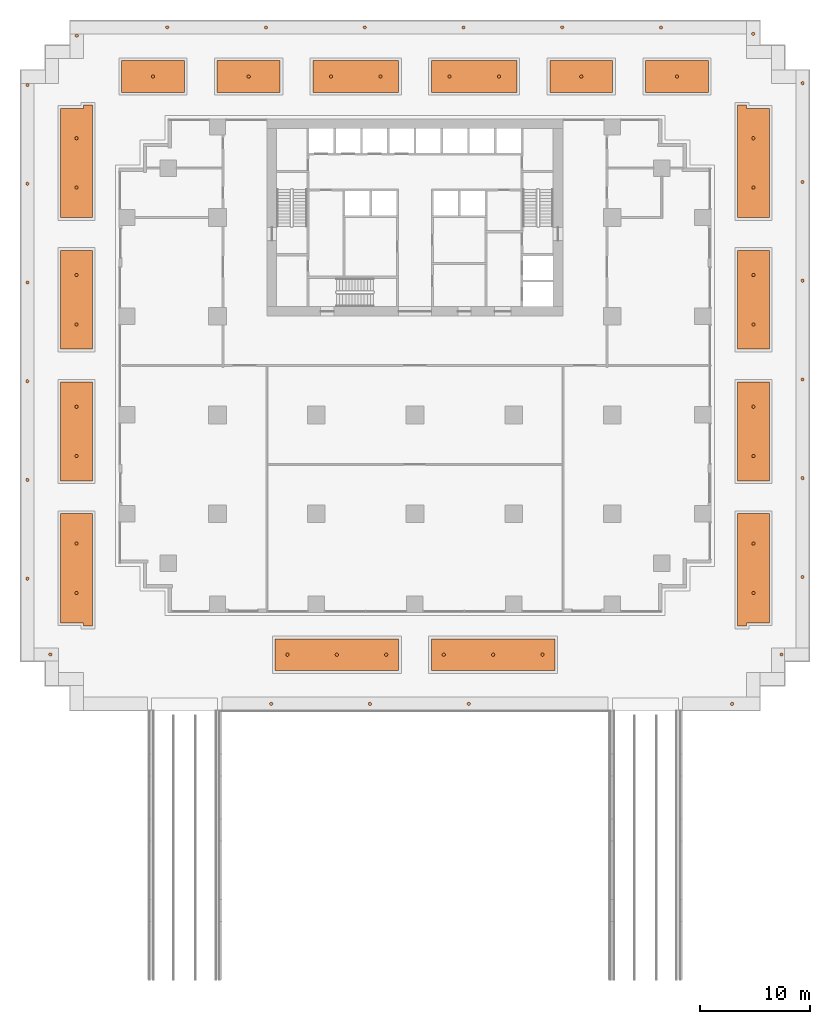
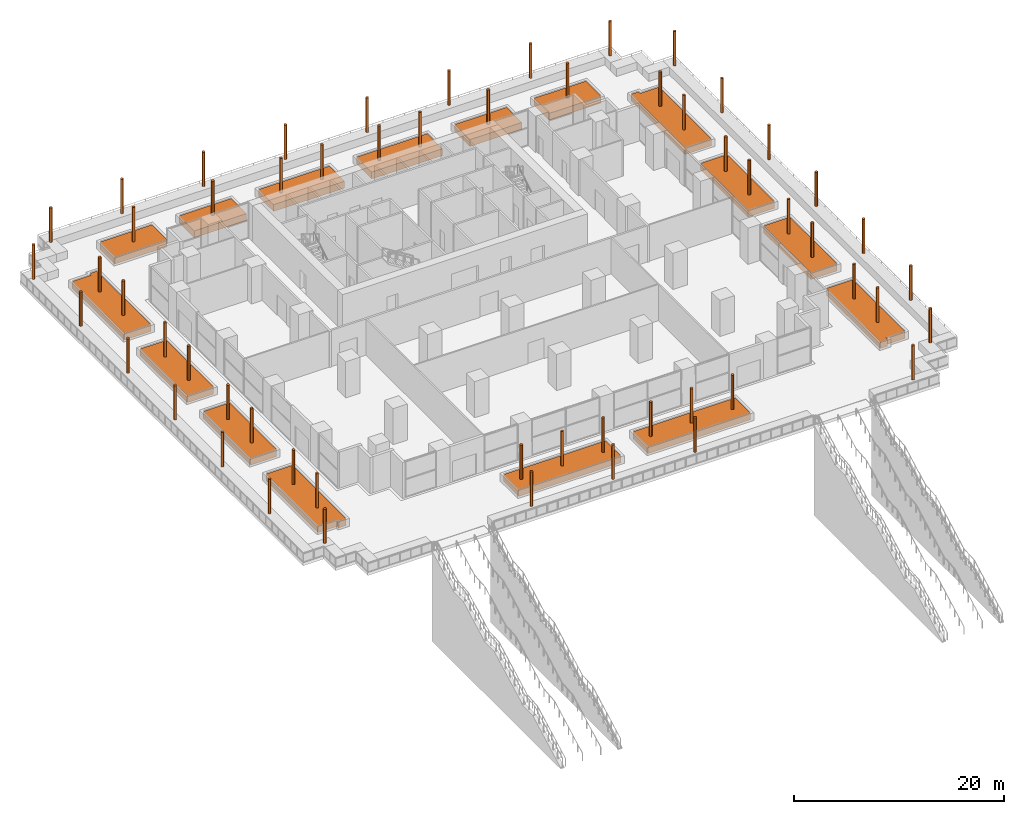
# One storey, part 18 of 18: 56 geographic elements, 16 proxies.
"""IFC4 building model written with IfcOpenShell, lengths in metres."""

from ifc_helpers import new_model, si_unit, direction, frame, origin, origin_2d, place, context, subcontext, project, spatial, polyline, circle, outline, extrude, material, type_object, element, save


model = new_model("IFC4")

# Units and contexts
model_context = context("Model", 3, precision=1e-05, world=origin(), true_north=direction((0.0, 1.0)))
body_context = subcontext(model_context, "Body", "Model", "MODEL_VIEW")
ifc_project = project(units=[si_unit("LENGTHUNIT", "METRE"), si_unit("AREAUNIT", "SQUARE_METRE"), si_unit("VOLUMEUNIT", "CUBIC_METRE"), si_unit("PLANEANGLEUNIT", "RADIAN"), si_unit("MASSUNIT", "GRAM", prefix="KILO")], contexts=[model_context])

# Site, building, storey
site_placement = place(None, origin())
site = spatial("IfcSite", under=ifc_project, at=site_placement, CompositionType="ELEMENT")
building_placement = place(site_placement, origin())
building = spatial("IfcBuilding", under=site, at=building_placement, Name="Orbiselva Terraces", CompositionType="ELEMENT")
storey_placement = place(building_placement, frame((0.0, 0.0, 10.5)))
storey = spatial("IfcBuildingStorey", under=building, at=storey_placement, Name="L02", CompositionType="ELEMENT", Elevation=10.5)

# Proxies
ifc_material_1 = material(Name="Planting soil")
building_element_proxy_type = type_object("IfcBuildingElementProxyType", Name="ENV-PLANTING-SOIL", PredefinedType="USERDEFINED", material=ifc_material_1)
proxy_1_placement = place(storey_placement, frame((0.0, 0.0, 0.05)))
element("IfcBuildingElementProxy", 1, at=proxy_1_placement, inside=storey, type_object=building_element_proxy_type, Name="Planting soil L02 Planting bed 1", ObjectType="PLANTING SOIL", PredefinedType="USERDEFINED", context=body_context, shape_type="SweptSolid", body=[
    extrude(outline(polyline([(-12.75, -27.8), (-12.75, -24.9), (-1.5, -24.9), (-1.5, -27.8), (-12.75, -27.8)])), origin(), (0.0, 0.0, 1.0), 0.8),
])
proxy_2_placement = place(storey_placement, frame((0.0, 0.0, 0.05)))
element("IfcBuildingElementProxy", 2, at=proxy_2_placement, inside=storey, type_object=building_element_proxy_type, Name="Planting soil L02 Planting bed 2", ObjectType="PLANTING SOIL", PredefinedType="USERDEFINED", context=body_context, shape_type="SweptSolid", body=[
    extrude(outline(polyline([(1.5, -27.8), (1.5, -24.9), (12.75, -24.9), (12.75, -27.8), (1.5, -27.8)])), origin(), (0.0, 0.0, 1.0), 0.8),
])
proxy_3_placement = place(storey_placement, frame((0.0, 0.0, 0.05)))
element("IfcBuildingElementProxy", 3, at=proxy_3_placement, inside=storey, type_object=building_element_proxy_type, Name="Planting soil L02 Planting bed 3", ObjectType="PLANTING SOIL", PredefinedType="USERDEFINED", context=body_context, shape_type="SweptSolid", body=[
    extrude(outline(polyline([(-32.3, -13.5), (-29.4, -13.5), (-29.4, -23.75), (-30.2, -23.75), (-30.2, -23.45), (-32.3, -23.45), (-32.3, -13.5)])), origin(), (0.0, 0.0, 1.0), 0.8),
])
proxy_4_placement = place(storey_placement, frame((0.0, 0.0, 0.05)))
element("IfcBuildingElementProxy", 4, at=proxy_4_placement, inside=storey, type_object=building_element_proxy_type, Name="Planting soil L02 Planting bed 4", ObjectType="PLANTING SOIL", PredefinedType="USERDEFINED", context=body_context, shape_type="SweptSolid", body=[
    extrude(outline(polyline([(29.4, -23.75), (29.4, -13.5), (32.3, -13.5), (32.3, -23.45), (30.2, -23.45), (30.2, -23.75), (29.4, -23.75)])), origin(), (0.0, 0.0, 1.0), 0.8),
])
proxy_5_placement = place(storey_placement, frame((0.0, 0.0, 0.05)))
element("IfcBuildingElementProxy", 5, at=proxy_5_placement, inside=storey, type_object=building_element_proxy_type, Name="Planting soil L02 Planting bed 5", ObjectType="PLANTING SOIL", PredefinedType="USERDEFINED", context=body_context, shape_type="SweptSolid", body=[
    extrude(outline(polyline([(-32.3, -10.5), (-32.3, -1.5), (-29.4, -1.5), (-29.4, -10.5), (-32.3, -10.5)])), origin(), (0.0, 0.0, 1.0), 0.8),
])
proxy_6_placement = place(storey_placement, frame((0.0, 0.0, 0.05)))
element("IfcBuildingElementProxy", 6, at=proxy_6_placement, inside=storey, type_object=building_element_proxy_type, Name="Planting soil L02 Planting bed 6", ObjectType="PLANTING SOIL", PredefinedType="USERDEFINED", context=body_context, shape_type="SweptSolid", body=[
    extrude(outline(polyline([(29.4, -10.5), (29.4, -1.5), (32.3, -1.5), (32.3, -10.5), (29.4, -10.5)])), origin(), (0.0, 0.0, 1.0), 0.8),
])
proxy_7_placement = place(storey_placement, frame((0.0, 0.0, 0.05)))
element("IfcBuildingElementProxy", 7, at=proxy_7_placement, inside=storey, type_object=building_element_proxy_type, Name="Planting soil L02 Planting bed 7", ObjectType="PLANTING SOIL", PredefinedType="USERDEFINED", context=body_context, shape_type="SweptSolid", body=[
    extrude(outline(polyline([(-32.3, 1.5), (-32.3, 10.5), (-29.4, 10.5), (-29.4, 1.5), (-32.3, 1.5)])), origin(), (0.0, 0.0, 1.0), 0.8),
])
proxy_8_placement = place(storey_placement, frame((0.0, 0.0, 0.05)))
element("IfcBuildingElementProxy", 8, at=proxy_8_placement, inside=storey, type_object=building_element_proxy_type, Name="Planting soil L02 Planting bed 8", ObjectType="PLANTING SOIL", PredefinedType="USERDEFINED", context=body_context, shape_type="SweptSolid", body=[
    extrude(outline(polyline([(29.4, 1.5), (29.4, 10.5), (32.3, 10.5), (32.3, 1.5), (29.4, 1.5)])), origin(), (0.0, 0.0, 1.0), 0.8),
])
proxy_9_placement = place(storey_placement, frame((0.0, 0.0, 0.05)))
element("IfcBuildingElementProxy", 9, at=proxy_9_placement, inside=storey, type_object=building_element_proxy_type, Name="Planting soil L02 Planting bed 9", ObjectType="PLANTING SOIL", PredefinedType="USERDEFINED", context=body_context, shape_type="SweptSolid", body=[
    extrude(outline(polyline([(-29.4, 23.75), (-29.4, 13.5), (-32.3, 13.5), (-32.3, 23.45), (-30.2, 23.45), (-30.2, 23.75), (-29.4, 23.75)])), origin(), (0.0, 0.0, 1.0), 0.8),
])
proxy_10_placement = place(storey_placement, frame((0.0, 0.0, 0.05)))
element("IfcBuildingElementProxy", 10, at=proxy_10_placement, inside=storey, type_object=building_element_proxy_type, Name="Planting soil L02 Planting bed 10", ObjectType="PLANTING SOIL", PredefinedType="USERDEFINED", context=body_context, shape_type="SweptSolid", body=[
    extrude(outline(polyline([(32.3, 13.5), (29.4, 13.5), (29.4, 23.75), (30.2, 23.75), (30.2, 23.45), (32.3, 23.45), (32.3, 13.5)])), origin(), (0.0, 0.0, 1.0), 0.8),
])
proxy_11_placement = place(storey_placement, frame((0.0, 0.0, 0.05)))
element("IfcBuildingElementProxy", 11, at=proxy_11_placement, inside=storey, type_object=building_element_proxy_type, Name="Planting soil L02 Planting bed 11", ObjectType="PLANTING SOIL", PredefinedType="USERDEFINED", context=body_context, shape_type="SweptSolid", body=[
    extrude(outline(polyline([(-26.75, 24.9), (-26.75, 27.8), (-21.025, 27.8), (-21.025, 24.9), (-26.75, 24.9)])), origin(), (0.0, 0.0, 1.0), 0.8),
])
proxy_12_placement = place(storey_placement, frame((0.0, 0.0, 0.05)))
element("IfcBuildingElementProxy", 12, at=proxy_12_placement, inside=storey, type_object=building_element_proxy_type, Name="Planting soil L02 Planting bed 12", ObjectType="PLANTING SOIL", PredefinedType="USERDEFINED", context=body_context, shape_type="SweptSolid", body=[
    extrude(outline(polyline([(-9.3, 24.9), (-9.3, 27.8), (-1.5, 27.8), (-1.5, 24.9), (-9.3, 24.9)])), origin(), (0.0, 0.0, 1.0), 0.8),
])
proxy_13_placement = place(storey_placement, frame((0.0, 0.0, 0.05)))
element("IfcBuildingElementProxy", 13, at=proxy_13_placement, inside=storey, type_object=building_element_proxy_type, Name="Planting soil L02 Planting bed 13", ObjectType="PLANTING SOIL", PredefinedType="USERDEFINED", context=body_context, shape_type="SweptSolid", body=[
    extrude(outline(polyline([(1.5, 24.9), (1.5, 27.8), (9.3, 27.8), (9.3, 24.9), (1.5, 24.9)])), origin(), (0.0, 0.0, 1.0), 0.8),
])
proxy_14_placement = place(storey_placement, frame((0.0, 0.0, 0.05)))
element("IfcBuildingElementProxy", 14, at=proxy_14_placement, inside=storey, type_object=building_element_proxy_type, Name="Planting soil L02 Planting bed 14", ObjectType="PLANTING SOIL", PredefinedType="USERDEFINED", context=body_context, shape_type="SweptSolid", body=[
    extrude(outline(polyline([(12.3, 24.9), (12.3, 27.8), (18.025, 27.8), (18.025, 24.9), (12.3, 24.9)])), origin(), (0.0, 0.0, 1.0), 0.8),
])
proxy_15_placement = place(storey_placement, frame((0.0, 0.0, 0.05)))
element("IfcBuildingElementProxy", 15, at=proxy_15_placement, inside=storey, type_object=building_element_proxy_type, Name="Planting soil L02 Planting bed 15", ObjectType="PLANTING SOIL", PredefinedType="USERDEFINED", context=body_context, shape_type="SweptSolid", body=[
    extrude(outline(polyline([(21.025, 24.9), (21.025, 27.8), (26.75, 27.8), (26.75, 24.9), (21.025, 24.9)])), origin(), (0.0, 0.0, 1.0), 0.8),
])
proxy_16_placement = place(storey_placement, frame((0.0, 0.0, 0.05)))
element("IfcBuildingElementProxy", 16, at=proxy_16_placement, inside=storey, type_object=building_element_proxy_type, Name="Planting soil L02 Planting bed 16", ObjectType="PLANTING SOIL", PredefinedType="USERDEFINED", context=body_context, shape_type="SweptSolid", body=[
    extrude(outline(polyline([(-18.025, 24.9), (-18.025, 27.8), (-12.3, 27.8), (-12.3, 24.9), (-18.025, 24.9)])), origin(), (0.0, 0.0, 1.0), 0.8),
])

# Geographic elements
ifc_material_2 = material(Name="Planted tree")
geographic_element_type = type_object("IfcGeographicElementType", Name="ENV-TREE-300x4000", PredefinedType="USERDEFINED", material=ifc_material_2)
for number, where, z_axis, x_axis, name in (
    (17, (-13.1, -30.83, 4.95), (0.0, 0.0, -1.0), (1.0, 0.0, 0.0), "Tree L02"),
    (18, (-4.1, -30.83, 4.95), (0.0, 0.0, -1.0), (1.0, 0.0, 0.0), "Tree L02"),
    (19, (4.9, -30.83, 4.95), (0.0, 0.0, -1.0), (1.0, 0.0, 0.0), "Tree L02"),
    (20, (28.9, -30.83, 4.95), (0.0, 0.0, -1.0), (1.0, 0.0, 0.0), "Tree L02"),
    (21, (33.4, -26.33, 4.95), (0.0, 0.0, -1.0), (1.0, 0.0, 0.0), "Tree L02"),
    (22, (35.33, -19.26, 4.95), (0.0, 0.0, -1.0), (1.0, 0.0, 0.0), "Tree L02"),
    (23, (35.33, -10.26, 4.95), (0.0, 0.0, -1.0), (1.0, 0.0, 0.0), "Tree L02"),
    (24, (35.33, -1.26, 4.95), (0.0, 0.0, -1.0), (1.0, 0.0, 0.0), "Tree L02"),
    (25, (35.33, 7.74, 4.95), (0.0, 0.0, -1.0), (1.0, 0.0, 0.0), "Tree L02"),
    (26, (35.33, 16.74, 4.95), (0.0, 0.0, -1.0), (1.0, 0.0, 0.0), "Tree L02"),
    (27, (35.33, 25.74, 4.95), (0.0, 0.0, -1.0), (1.0, 0.0, 0.0), "Tree L02"),
    (28, (30.83, 30.24, 4.95), (0.0, 0.0, -1.0), (1.0, 0.0, 0.0), "Tree L02"),
    (29, (22.42, 30.83, 4.95), (0.0, 0.0, -1.0), (1.0, 0.0, 0.0), "Tree L02"),
    (30, (13.42, 30.83, 4.95), (0.0, 0.0, -1.0), (1.0, 0.0, 0.0), "Tree L02"),
    (31, (4.42, 30.83, 4.95), (0.0, 0.0, -1.0), (1.0, 0.0, 0.0), "Tree L02"),
    (32, (-4.58, 30.83, 4.95), (0.0, 0.0, -1.0), (1.0, 0.0, 0.0), "Tree L02"),
    (33, (-13.58, 30.83, 4.95), (0.0, 0.0, -1.0), (1.0, 0.0, 0.0), "Tree L02"),
    (34, (-22.58, 30.83, 4.95), (0.0, 0.0, -1.0), (1.0, 0.0, 0.0), "Tree L02"),
    (35, (-30.83, 30.08, 4.95), (0.0, 0.0, -1.0), (1.0, 0.0, 0.0), "Tree L02"),
    (36, (-35.33, 25.58, 4.95), (0.0, 0.0, -1.0), (1.0, 0.0, 0.0), "Tree L02"),
    (37, (-35.33, 16.58, 4.95), (0.0, 0.0, -1.0), (1.0, 0.0, 0.0), "Tree L02"),
    (38, (-35.33, 7.58, 4.95), (0.0, 0.0, -1.0), (1.0, 0.0, 0.0), "Tree L02"),
    (39, (-35.33, -1.42, 4.95), (0.0, 0.0, -1.0), (1.0, 0.0, 0.0), "Tree L02"),
    (40, (-35.33, -10.42, 4.95), (0.0, 0.0, -1.0), (1.0, 0.0, 0.0), "Tree L02"),
    (41, (-35.33, -19.42, 4.95), (0.0, 0.0, -1.0), (1.0, 0.0, 0.0), "Tree L02"),
    (42, (-33.24, -26.33, 4.95), (0.0, 0.0, -1.0), (1.0, 0.0, 0.0), "Tree L02"),
    (43, (-11.625, -26.35, 4.85), (0.0, 0.0, -1.0), (1.0, 0.0, 0.0), "Tree L02"),
    (44, (-7.125, -26.35, 4.85), (0.0, 0.0, -1.0), (1.0, 0.0, 0.0), "Tree L02"),
    (45, (-2.625, -26.35, 4.85), (0.0, 0.0, -1.0), (1.0, 0.0, 0.0), "Tree L02"),
    (46, (2.625, -26.35, 4.85), (0.0, 0.0, -1.0), (1.0, 0.0, 0.0), "Tree L02"),
    (47, (7.125, -26.35, 4.85), (0.0, 0.0, -1.0), (1.0, 0.0, 0.0), "Tree L02"),
    (48, (11.625, -26.35, 4.85), (0.0, 0.0, -1.0), (1.0, 0.0, 0.0), "Tree L02"),
    (49, (-30.85, -20.725, 4.85), (0.0, 0.0, -1.0), (1.0, 0.0, 0.0), "Tree L02"),
    (50, (-30.85, -16.225, 4.85), (0.0, 0.0, -1.0), (1.0, 0.0, 0.0), "Tree L02"),
    (51, (30.85, -20.725, 4.85), (0.0, 0.0, -1.0), (1.0, 0.0, 0.0), "Tree L02"),
    (52, (30.85, -16.225, 4.85), (0.0, 0.0, -1.0), (1.0, 0.0, 0.0), "Tree L02"),
    (53, (-30.85, -8.25, 4.85), (0.0, 0.0, -1.0), (1.0, 0.0, 0.0), "Tree L02"),
    (54, (-30.85, -3.75, 4.85), (0.0, 0.0, -1.0), (1.0, 0.0, 0.0), "Tree L02"),
    (55, (30.85, -8.25, 4.85), (0.0, 0.0, -1.0), (1.0, 0.0, 0.0), "Tree L02"),
    (56, (30.85, -3.75, 4.85), (0.0, 0.0, -1.0), (1.0, 0.0, 0.0), "Tree L02"),
    (57, (-30.85, 3.75, 4.85), (0.0, 0.0, -1.0), (1.0, 0.0, 0.0), "Tree L02"),
    (58, (-30.85, 8.25, 4.85), (0.0, 0.0, -1.0), (1.0, 0.0, 0.0), "Tree L02"),
    (59, (30.85, 3.75, 4.85), (0.0, 0.0, -1.0), (1.0, 0.0, 0.0), "Tree L02"),
    (60, (30.85, 8.25, 4.85), (0.0, 0.0, -1.0), (1.0, 0.0, 0.0), "Tree L02"),
    (61, (-30.85, 16.225, 4.85), (0.0, 0.0, -1.0), (1.0, 0.0, 0.0), "Tree L02"),
    (62, (-30.85, 20.725, 4.85), (0.0, 0.0, -1.0), (1.0, 0.0, 0.0), "Tree L02"),
    (63, (30.85, 16.225, 4.85), (0.0, 0.0, -1.0), (1.0, 0.0, 0.0), "Tree L02"),
    (64, (30.85, 20.725, 4.85), (0.0, 0.0, -1.0), (1.0, 0.0, 0.0), "Tree L02"),
    (65, (-23.887, 26.35, 4.85), (0.0, 0.0, -1.0), (1.0, 0.0, 0.0), "Tree L02"),
    (66, (-7.65, 26.35, 4.85), (0.0, 0.0, -1.0), (1.0, 0.0, 0.0), "Tree L02"),
    (67, (-3.15, 26.35, 4.85), (0.0, 0.0, -1.0), (1.0, 0.0, 0.0), "Tree L02"),
    (68, (3.15, 26.35, 4.85), (0.0, 0.0, -1.0), (1.0, 0.0, 0.0), "Tree L02"),
    (69, (7.65, 26.35, 4.85), (0.0, 0.0, -1.0), (1.0, 0.0, 0.0), "Tree L02"),
    (70, (15.162, 26.35, 4.85), (0.0, 0.0, -1.0), (1.0, 0.0, 0.0), "Tree L02"),
    (71, (23.887, 26.35, 4.85), (0.0, 0.0, -1.0), (1.0, 0.0, 0.0), "Tree L02"),
    (72, (-15.162, 26.35, 4.85), (0.0, 0.0, -1.0), (1.0, 0.0, 0.0), "Tree L02"),
):
    element("IfcGeographicElement", number, at=place(storey_placement, frame(where, z_axis=z_axis, x_axis=x_axis)), inside=storey, type_object=geographic_element_type, Name=name, ObjectType="TREE", PredefinedType="USERDEFINED", context=body_context, shape_type="SweptSolid", body=[
        extrude(circle(Radius=0.15, at=origin_2d()), origin(), (0.0, 0.0, 1.0), 4.0),
    ])

save(model, "model.ifc")
